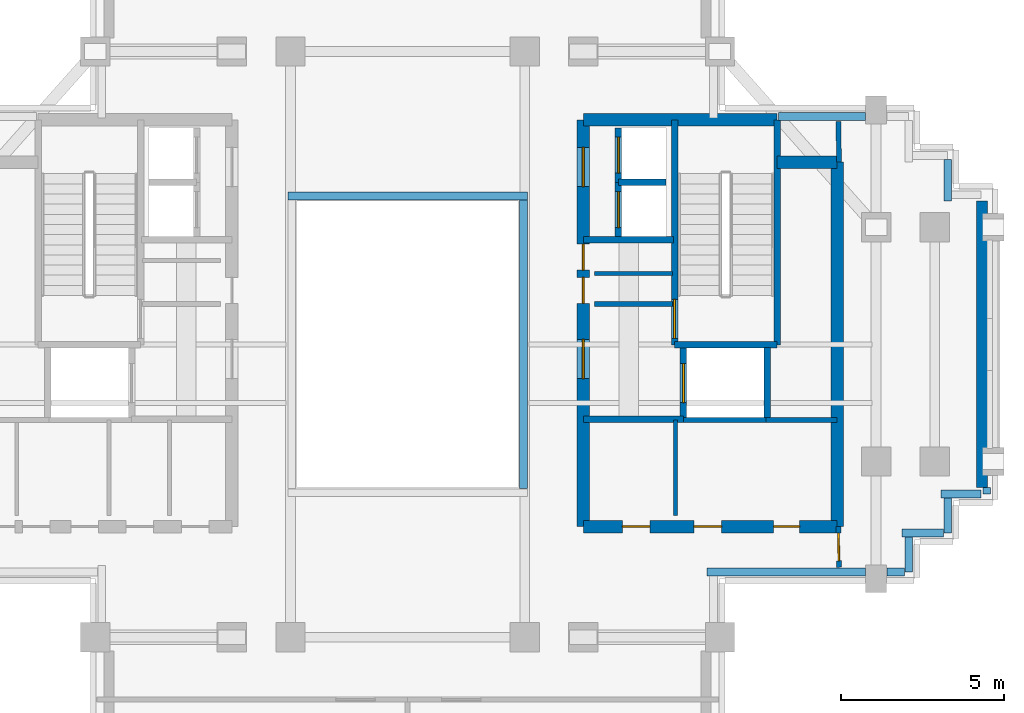
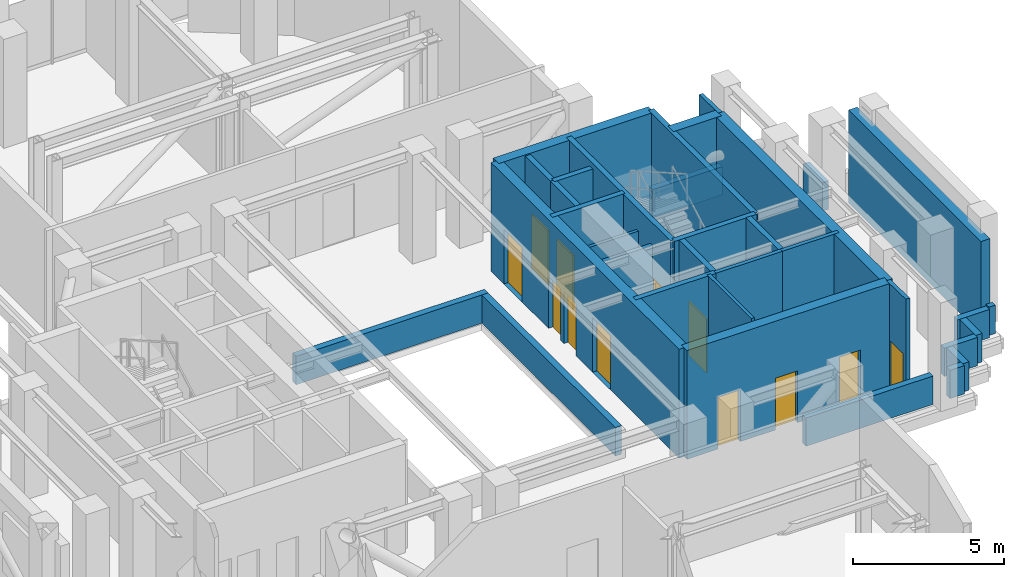
# One storey, part 7 of 11: 34 walls, 12 doors, 12 openings.
"""IFC4 building model written with IfcOpenShell, lengths in metres."""

from ifc_helpers import new_model, si_unit, direction, frame, frame_2d, origin, place, context, subcontext, project, spatial, rectangle, extrude, source, transform, mapped, material, layer, layer_set, type_object, element, fill, save


model = new_model("IFC4")

# Units and contexts
model_context = context("Model", 3, precision=1e-05, world=origin(), true_north=direction((0.0, 1.0)))
body_context = subcontext(model_context, "Body", "Model", "MODEL_VIEW")
ifc_project = project(units=[si_unit("LENGTHUNIT", "METRE"), si_unit("AREAUNIT", "SQUARE_METRE"), si_unit("VOLUMEUNIT", "CUBIC_METRE"), si_unit("PLANEANGLEUNIT", "RADIAN"), si_unit("MASSUNIT", "GRAM", prefix="KILO")], contexts=[model_context])

# Site, building, storey
site_placement = place(None, origin())
site = spatial("IfcSite", under=ifc_project, at=site_placement, CompositionType="ELEMENT")
building_placement = place(site_placement, origin())
building = spatial("IfcBuilding", under=site, at=building_placement, Name="Keilestroom Media Tower", CompositionType="ELEMENT")
storey_placement = place(building_placement, frame((0.0, 0.0, 214.800048828125)))
storey = spatial("IfcBuildingStorey", under=building, at=storey_placement, Name="L59", CompositionType="ELEMENT", Elevation=214.800048828125)

# Walls
ifc_material_1 = material(Name="Precast concrete C40/50", Category="concrete")
ifc_layer_1 = layer(ifc_material_1, 0.340087890625)
ifc_layer_set_1 = layer_set([ifc_layer_1], Name="Precast concrete C40/50")
wall_type_1 = type_object("IfcWallType", Name="Exterior-Masonry-Spandrel-Wall-340", PredefinedType="SOLIDWALL", material=ifc_layer_set_1)
wall_1_placement = place(storey_placement, frame((17.64990234375, -4.39990234375, 0.0), z_axis=(0.0, 0.0, 1.0), x_axis=(0.0, 1.0, 0.0)))
element("IfcWall", 1, at=wall_1_placement, inside=storey, type_object=wall_type_1, Name="L59 Plant Masonry Screen Wall E", PredefinedType="SOLIDWALL", context=body_context, shape_type="SweptSolid", body=[
    extrude(rectangle(XDim=8.7998046875, YDim=0.340087890625, at=frame_2d((4.39990234375, 0.0))), origin(), (0.0, 0.0, 1.0), 3.760009765625),
])
ifc_material_2 = material(Name="Gypsum Plasterboard & Steel Stud", Category="steel")
ifc_layer_2 = layer(ifc_material_2, 0.1201171875)
ifc_layer_set_2 = layer_set([ifc_layer_2], Name="Gypsum Plasterboard & Steel Stud")
wall_type_2 = type_object("IfcWallType", Name="Interior-Partition-Wall-120", PredefinedType="PARTITIONING", material=ifc_layer_set_2)
wall_2_placement = place(storey_placement, frame((5.75, 2.179931640625, 0.0), z_axis=(0.0, 0.0, 1.0), x_axis=(1.0, 0.0, 0.0)))
element("IfcWall", 2, at=wall_2_placement, inside=storey, type_object=wall_type_2, Name="L59 Interior Wall WP-L59-CNE-N", PredefinedType="PARTITIONING", context=body_context, shape_type="SweptSolid", body=[
    extrude(rectangle(XDim=2.389892578125, YDim=0.1201171875, at=frame_2d((1.19482421875, 0.0))), origin(), (0.0, 0.0, 1.0), 3.510009765625),
])
wall_3_placement = place(storey_placement, frame((8.239990234375, -5.260009765625, 0.0), z_axis=(0.0, 0.0, 1.0), x_axis=(0.0, 1.0, 0.0)))
element("IfcWall", 3, at=wall_3_placement, inside=storey, type_object=wall_type_2, Name="L59 Interior Wall WP-L59-RECME-M", PredefinedType="PARTITIONING", context=body_context, shape_type="SweptSolid", body=[
    extrude(rectangle(XDim=2.93994140625, YDim=0.1201171875, at=frame_2d((1.469970703125, 0.0))), origin(), (0.0, 0.0, 1.0), 4.409912109375),
])
ifc_layer_3 = layer(ifc_material_2, 0.14990234375)
ifc_layer_set_3 = layer_set([ifc_layer_3], Name="Gypsum Plasterboard & Steel Stud")
wall_type_3 = type_object("IfcWallType", Name="Interior-Partition-Wall-150", PredefinedType="PARTITIONING", material=ifc_layer_set_3)
wall_4_placement = place(storey_placement, frame((5.75, 1.239990234375, 0.0), z_axis=(0.0, 0.0, 1.0), x_axis=(1.0, 0.0, 0.0)))
element("IfcWall", 4, at=wall_4_placement, inside=storey, type_object=wall_type_3, Name="L59 Interior Wall WP-L59-FFE-TOP", PredefinedType="PARTITIONING", context=body_context, shape_type="SweptSolid", body=[
    extrude(rectangle(XDim=2.389892578125, YDim=0.14990234375, at=frame_2d((1.19482421875, 0.0))), origin(), (0.0, 0.0, 1.0), 3.510009765625),
])
wall_5_placement = place(storey_placement, frame((11.02001953125, -2.320068359375, 0.0), z_axis=(0.0, 0.0, 1.0), x_axis=(1.0, 0.0, 0.0)))
element("IfcWall", 5, at=wall_5_placement, inside=storey, type_object=wall_type_3, Name="L59 Interior Wall WP-L59-RECLE-N", PredefinedType="PARTITIONING", context=body_context, shape_type="SweptSolid", body=[
    extrude(rectangle(XDim=2.179931640625, YDim=0.14990234375, at=frame_2d((1.08984375, 0.0))), origin(), (0.0, 0.0, 1.0), 4.409912109375),
])
wall_6_placement = place(storey_placement, frame((8.47998046875, -2.320068359375, 0.0), z_axis=(0.0, 0.0, 1.0), x_axis=(1.0, 0.0, 0.0)))
element("IfcWall", 6, at=wall_6_placement, inside=storey, type_object=wall_type_3, Name="L59 Interior Wall WP-L59-RECME-N", PredefinedType="PARTITIONING", context=body_context, shape_type="SweptSolid", body=[
    extrude(rectangle(XDim=2.56005859375, YDim=0.14990234375, at=frame_2d((1.280029296875, 0.0))), origin(), (0.0, 0.0, 1.0), 4.409912109375),
])

# Wall, opening, door
wall_7_placement = place(storey_placement, frame((13.260009765625, -6.85009765625, 0.0), z_axis=(0.0, 0.0, 1.0), x_axis=(-0.016013571389, 0.999871774545, 0.0)))
wall_7 = element("IfcWall", 7, at=wall_7_placement, inside=storey, type_object=wall_type_3, Name="L59 Interior Wall WP-L59-REF-EW", PredefinedType="PARTITIONING", context=body_context, shape_type="SweptSolid", body=[
    extrude(rectangle(XDim=1.250244140625, YDim=0.14990234375, at=frame_2d((0.625, 0.0))), origin(), (0.0, 0.0, 1.0), 4.409912109375),
])
opening_1_placement = place(wall_7_placement, frame((0.199951171875, 0.0, 0.0)))
opening_1 = element("IfcOpeningElement", 8, at=opening_1_placement, cuts=wall_7, Name="Opening DI-05", PredefinedType="OPENING", context=body_context, shape_type="SweptSolid", body=[
    extrude(rectangle(XDim=0.85009765625, YDim=2.10009765625, at=frame_2d((0.425048828125, 1.050048828125))), frame((0.0, 0.0849609375, 0.0), z_axis=(0.0, -1.0, 0.0), x_axis=(1.0, 0.0, 0.0)), (0.0, 0.0, 1.0), 0.169921875),
])
ifc_material_3 = material(Name="Moisture-Resistant Oak Leaf", Category="wood")
door_type_1 = type_object("IfcDoorType", Name="Interior-En-Suite-And-Cupboard-Door-DI-05", OperationType="NOTDEFINED", PredefinedType="DOOR", material=ifc_material_3)
shared_shape_1 = source(origin(), body_context, "Body", "SweptSolid", [
    extrude(rectangle(XDim=0.85009765625, YDim=2.10009765625, at=frame_2d((0.425048828125, 1.050048828125))), frame((0.0, 0.02490234375, 0.0), z_axis=(0.0, -1.0, 0.0), x_axis=(1.0, 0.0, 0.0)), (0.0, 0.0, 1.0), 0.050048828125),
])
door_1_placement = place(opening_1_placement, origin())
door_1 = element("IfcDoor", 9, at=door_1_placement, inside=storey, type_object=door_type_1, Name="L59 Interior Door DI-L59-DRF-ES", OperationType="SINGLE_SWING_LEFT", OverallHeight=2.10009765625, OverallWidth=0.85009765625, PredefinedType="DOOR", context=body_context, shape_type="MappedRepresentation", body=[
    mapped(shared_shape_1, transform((0.0, 0.0, 0.0), x_axis=(1.0, 0.0, 0.0), y_axis=(0.0, 1.0, 0.0), z_axis=(0.0, 0.0, 1.0), scale=1.0)),
])
fill(opening_1, door_1)

# Walls
wall_8_placement = place(storey_placement, frame((13.260009765625, 5.60009765625, 0.0), z_axis=(0.0, 0.0, 1.0), x_axis=(-0.016013571389, 0.999871774545, 0.0)))
element("IfcWall", 10, at=wall_8_placement, inside=storey, type_object=wall_type_3, Name="L59 Interior Wall WP-L59-REF-ENK", PredefinedType="PARTITIONING", context=body_context, shape_type="SweptSolid", body=[
    extrude(rectangle(XDim=1.250244140625, YDim=0.14990234375, at=frame_2d((0.625, 0.0))), origin(), (0.0, 0.0, 1.0), 4.409912109375),
])
ifc_material_4 = material(Name="Concrete C55/67", Category="concrete")
ifc_layer_4 = layer(ifc_material_4, 0.3798828125)
ifc_layer_set_4 = layer_set([ifc_layer_4], Name="Concrete C55/67")
wall_type_4 = type_object("IfcWallType", Name="Reinforced-Concrete-Core-Shear-Wall-380", PredefinedType="SHEAR", material=ifc_layer_set_4)
wall_9_placement = place(storey_placement, frame((13.199951171875, -5.60009765625, 0.0), z_axis=(0.0, 0.0, 1.0), x_axis=(0.0, 1.0, 0.0)))
element("IfcWall", 11, at=wall_9_placement, inside=storey, type_object=wall_type_4, Name="L59 Core Shear Wall WL-L59-CORE-E-OUT", PredefinedType="SHEAR", context=body_context, shape_type="SweptSolid", body=[
    extrude(rectangle(XDim=11.2001953125, YDim=0.3798828125, at=frame_2d((5.60009765625, 0.0))), origin(), (0.0, 0.0, 1.0), 4.409912109375),
])

# Wall, openings, doors
wall_10_placement = place(storey_placement, frame((5.39990234375, -5.60009765625, 0.0), z_axis=(0.0, 0.0, 1.0), x_axis=(0.0, 1.0, 0.0)))
wall_10 = element("IfcWall", 12, at=wall_10_placement, inside=storey, type_object=wall_type_4, Name="L59 Core Shear Wall WL-L59-CORE-E-IN", PredefinedType="SHEAR", context=body_context, shape_type="SweptSolid", body=[
    extrude(rectangle(XDim=12.5, YDim=0.3798828125, at=frame_2d((6.25, 0.0))), origin(), (0.0, 0.0, 1.0), 4.409912109375),
])
opening_2_placement = place(wall_10_placement, frame((4.550048828125, 0.0, 0.0)))
opening_2 = element("IfcOpeningElement", 13, at=opening_2_placement, cuts=wall_10, Name="Opening DI-02", PredefinedType="OPENING", context=body_context, shape_type="SweptSolid", body=[
    extrude(rectangle(XDim=1.199951171875, YDim=2.199951171875, at=frame_2d((0.60009765625, 1.10009765625))), frame((0.0, 0.199951171875, 0.0), z_axis=(0.0, -1.0, 0.0), x_axis=(1.0, 0.0, 0.0)), (0.0, 0.0, 1.0), 0.39990234375),
])
opening_3_placement = place(wall_10_placement, frame((10.449951171875, 0.0, 0.0)))
opening_3 = element("IfcOpeningElement", 14, at=opening_3_placement, cuts=wall_10, Name="Opening DI-02", PredefinedType="OPENING", context=body_context, shape_type="SweptSolid", body=[
    extrude(rectangle(XDim=1.199951171875, YDim=2.199951171875, at=frame_2d((0.60009765625, 1.10009765625))), frame((0.0, 0.199951171875, 0.0), z_axis=(0.0, -1.0, 0.0), x_axis=(1.0, 0.0, 0.0)), (0.0, 0.0, 1.0), 0.39990234375),
])
opening_4_placement = place(wall_10_placement, frame((6.860107421875, 0.0, 0.0)))
opening_4 = element("IfcOpeningElement", 15, at=opening_4_placement, cuts=wall_10, Name="Opening DI-06", PredefinedType="OPENING", context=body_context, shape_type="SweptSolid", body=[
    extrude(rectangle(XDim=0.800048828125, YDim=2.10009765625, at=frame_2d((0.39990234375, 1.050048828125))), frame((0.0, 0.199951171875, 0.0), z_axis=(0.0, -1.0, 0.0), x_axis=(1.0, 0.0, 0.0)), (0.0, 0.0, 1.0), 0.39990234375),
])
opening_5_placement = place(wall_10_placement, frame((7.8798828125, 0.0, 0.0)))
opening_5 = element("IfcOpeningElement", 16, at=opening_5_placement, cuts=wall_10, Name="Opening DI-06", PredefinedType="OPENING", context=body_context, shape_type="SweptSolid", body=[
    extrude(rectangle(XDim=0.800048828125, YDim=2.10009765625, at=frame_2d((0.39990234375, 1.050048828125))), frame((0.0, 0.199951171875, 0.0), z_axis=(0.0, -1.0, 0.0), x_axis=(1.0, 0.0, 0.0)), (0.0, 0.0, 1.0), 0.39990234375),
])
ifc_material_5 = material(Name="Powder-Coated Steel Fire Leaf", Category="steel")
door_type_2 = type_object("IfcDoorType", Name="Interior-Compartment-Fire-Door-DI-02", OperationType="NOTDEFINED", PredefinedType="DOOR", material=ifc_material_5)
shared_shape_2 = source(origin(), body_context, "Body", "SweptSolid", [
    extrude(rectangle(XDim=1.199951171875, YDim=2.199951171875, at=frame_2d((0.60009765625, 1.10009765625))), frame((0.0, 0.02490234375, 0.0), z_axis=(0.0, -1.0, 0.0), x_axis=(1.0, 0.0, 0.0)), (0.0, 0.0, 1.0), 0.050048828125),
])
door_2_placement = place(opening_2_placement, origin())
door_2 = element("IfcDoor", 17, at=door_2_placement, inside=storey, type_object=door_type_2, Name="L59 E Firefighting Lobby Door", OperationType="SINGLE_SWING_LEFT", OverallHeight=2.199951171875, OverallWidth=1.199951171875, PredefinedType="DOOR", context=body_context, shape_type="MappedRepresentation", body=[
    mapped(shared_shape_2, transform((0.0, 0.0, 0.0), x_axis=(1.0, 0.0, 0.0), y_axis=(0.0, 1.0, 0.0), z_axis=(0.0, 0.0, 1.0), scale=1.0)),
])
fill(opening_2, door_2)
door_3_placement = place(opening_3_placement, origin())
door_3 = element("IfcDoor", 18, at=door_3_placement, inside=storey, type_object=door_type_2, Name="L59 E High-Rise Lift Lobby Door", OperationType="SINGLE_SWING_RIGHT", OverallHeight=2.199951171875, OverallWidth=1.199951171875, PredefinedType="DOOR", context=body_context, shape_type="MappedRepresentation", body=[
    mapped(shared_shape_2, transform((0.0, 0.0, 0.0), x_axis=(1.0, 0.0, 0.0), y_axis=(0.0, 1.0, 0.0), z_axis=(0.0, 0.0, 1.0), scale=1.0)),
])
fill(opening_3, door_3)
ifc_material_6 = material(Name="Powder-Coated Steel Service Leaf", Category="steel")
door_type_3 = type_object("IfcDoorType", Name="Interior-Riser-Access-Door-DI-06", OperationType="NOTDEFINED", PredefinedType="DOOR", material=ifc_material_6)
shared_shape_3 = source(origin(), body_context, "Body", "SweptSolid", [
    extrude(rectangle(XDim=0.800048828125, YDim=2.10009765625, at=frame_2d((0.39990234375, 1.050048828125))), frame((0.0, 0.02490234375, 0.0), z_axis=(0.0, -1.0, 0.0), x_axis=(1.0, 0.0, 0.0)), (0.0, 0.0, 1.0), 0.050048828125),
])
door_4_placement = place(opening_4_placement, origin())
door_4 = element("IfcDoor", 19, at=door_4_placement, inside=storey, type_object=door_type_3, Name="L59 East Core Telecom Door", OperationType="SINGLE_SWING_RIGHT", OverallHeight=2.10009765625, OverallWidth=0.800048828125, PredefinedType="DOOR", context=body_context, shape_type="MappedRepresentation", body=[
    mapped(shared_shape_3, transform((0.0, 0.0, 0.0), x_axis=(1.0, 0.0, 0.0), y_axis=(0.0, 1.0, 0.0), z_axis=(0.0, 0.0, 1.0), scale=1.0)),
])
fill(opening_4, door_4)
door_5_placement = place(opening_5_placement, origin())
door_5 = element("IfcDoor", 20, at=door_5_placement, inside=storey, type_object=door_type_3, Name="L59 East Core Closet Door", OperationType="SINGLE_SWING_RIGHT", OverallHeight=2.10009765625, OverallWidth=0.800048828125, PredefinedType="DOOR", context=body_context, shape_type="MappedRepresentation", body=[
    mapped(shared_shape_3, transform((0.0, 0.0, 0.0), x_axis=(1.0, 0.0, 0.0), y_axis=(0.0, 1.0, 0.0), z_axis=(0.0, 0.0, 1.0), scale=1.0)),
])
fill(opening_5, door_5)

# Walls
wall_11_placement = place(storey_placement, frame((5.39990234375, 6.89990234375, 0.0), z_axis=(0.0, 0.0, 1.0), x_axis=(1.0, 0.0, 0.0)))
element("IfcWall", 21, at=wall_11_placement, inside=storey, type_object=wall_type_4, Name="L59 Core Shear Wall WL-L59-CORE-E-N", PredefinedType="SHEAR", context=body_context, shape_type="SweptSolid", body=[
    extrude(rectangle(XDim=5.9560546875, YDim=0.3798828125, at=frame_2d((2.97802734375, 0.0))), origin(), (0.0, 0.0, 1.0), 4.409912109375),
])
wall_12_placement = place(storey_placement, frame((11.35595703125, 5.60009765625, 0.0), z_axis=(0.0, 0.0, 1.0), x_axis=(1.0, 0.0, 0.0)))
element("IfcWall", 22, at=wall_12_placement, inside=storey, type_object=wall_type_4, Name="L59 Core Shear Wall WL-L59-CNE-N", PredefinedType="SHEAR", context=body_context, shape_type="SweptSolid", body=[
    extrude(rectangle(XDim=1.843994140625, YDim=0.3798828125, at=frame_2d((0.921875, 0.0))), origin(), (0.0, 0.0, 1.0), 4.409912109375),
])

# Wall, openings, doors
wall_13_placement = place(storey_placement, frame((5.39990234375, -5.60009765625, 0.0), z_axis=(0.0, 0.0, 1.0), x_axis=(1.0, 0.0, 0.0)))
wall_13 = element("IfcWall", 23, at=wall_13_placement, inside=storey, type_object=wall_type_4, Name="L59 Core Shear Wall WL-L59-CORE-E-S", PredefinedType="SHEAR", context=body_context, shape_type="SweptSolid", body=[
    extrude(rectangle(XDim=7.800048828125, YDim=0.3798828125, at=frame_2d((3.89990234375, 0.0))), origin(), (0.0, 0.0, 1.0), 4.409912109375),
])
opening_6_placement = place(wall_13_placement, frame((5.85009765625, 0.0, 0.0)))
opening_6 = element("IfcOpeningElement", 24, at=opening_6_placement, cuts=wall_13, Name="Opening DI-06", PredefinedType="OPENING", context=body_context, shape_type="SweptSolid", body=[
    extrude(rectangle(XDim=0.800048828125, YDim=2.10009765625, at=frame_2d((0.39990234375, 1.050048828125))), frame((0.0, 0.199951171875, 0.0), z_axis=(0.0, -1.0, 0.0), x_axis=(1.0, 0.0, 0.0)), (0.0, 0.0, 1.0), 0.39990234375),
])
opening_7_placement = place(wall_13_placement, frame((1.199951171875, 0.0, 0.0)))
opening_7 = element("IfcOpeningElement", 25, at=opening_7_placement, cuts=wall_13, Name="Opening DI-05", PredefinedType="OPENING", context=body_context, shape_type="SweptSolid", body=[
    extrude(rectangle(XDim=0.85009765625, YDim=2.10009765625, at=frame_2d((0.425048828125, 1.050048828125))), frame((0.0, 0.199951171875, 0.0), z_axis=(0.0, -1.0, 0.0), x_axis=(1.0, 0.0, 0.0)), (0.0, 0.0, 1.0), 0.39990234375),
])
opening_8_placement = place(wall_13_placement, frame((3.39990234375, 0.0, 0.0)))
opening_8 = element("IfcOpeningElement", 26, at=opening_8_placement, cuts=wall_13, Name="Opening DI-05", PredefinedType="OPENING", context=body_context, shape_type="SweptSolid", body=[
    extrude(rectangle(XDim=0.85009765625, YDim=2.10009765625, at=frame_2d((0.425048828125, 1.050048828125))), frame((0.0, 0.199951171875, 0.0), z_axis=(0.0, -1.0, 0.0), x_axis=(1.0, 0.0, 0.0)), (0.0, 0.0, 1.0), 0.39990234375),
])
door_6_placement = place(opening_6_placement, origin())
door_6 = element("IfcDoor", 27, at=door_6_placement, inside=storey, type_object=door_type_3, Name="L59 Reclaimed East Core Room Door", OperationType="SINGLE_SWING_RIGHT", OverallHeight=2.10009765625, OverallWidth=0.800048828125, PredefinedType="DOOR", context=body_context, shape_type="MappedRepresentation", body=[
    mapped(shared_shape_3, transform((0.0, 0.0, 0.0), x_axis=(1.0, 0.0, 0.0), y_axis=(0.0, 1.0, 0.0), z_axis=(0.0, 0.0, 1.0), scale=1.0)),
])
fill(opening_6, door_6)
door_7_placement = place(opening_7_placement, origin())
door_7 = element("IfcDoor", 28, at=door_7_placement, inside=storey, type_object=door_type_1, Name="L59 Reclaimed Mid East Room 1 Door", OperationType="SINGLE_SWING_RIGHT", OverallHeight=2.10009765625, OverallWidth=0.85009765625, PredefinedType="DOOR", context=body_context, shape_type="MappedRepresentation", body=[
    mapped(shared_shape_1, transform((0.0, 0.0, 0.0), x_axis=(1.0, 0.0, 0.0), y_axis=(0.0, 1.0, 0.0), z_axis=(0.0, 0.0, 1.0), scale=1.0)),
])
fill(opening_7, door_7)
door_8_placement = place(opening_8_placement, origin())
door_8 = element("IfcDoor", 29, at=door_8_placement, inside=storey, type_object=door_type_1, Name="L59 Reclaimed Mid East Room 2 Door", OperationType="SINGLE_SWING_RIGHT", OverallHeight=2.10009765625, OverallWidth=0.85009765625, PredefinedType="DOOR", context=body_context, shape_type="MappedRepresentation", body=[
    mapped(shared_shape_1, transform((0.0, 0.0, 0.0), x_axis=(1.0, 0.0, 0.0), y_axis=(0.0, 1.0, 0.0), z_axis=(0.0, 0.0, 1.0), scale=1.0)),
])
fill(opening_8, door_8)

# Walls
ifc_material_7 = material(Name="Concrete C50/60", Category="concrete")
ifc_layer_5 = layer(ifc_material_7, 0.199951171875)
ifc_layer_set_5 = layer_set([ifc_layer_5], Name="Concrete C50/60")
wall_type_5 = type_object("IfcWallType", Name="Reinforced-Concrete-Shaft-Wall-200", PredefinedType="SOLIDWALL", material=ifc_layer_set_5)
wall_14_placement = place(storey_placement, frame((5.39990234375, 3.219970703125, 0.0), z_axis=(0.0, 0.0, 1.0), x_axis=(1.0, 0.0, 0.0)))
element("IfcWall", 30, at=wall_14_placement, inside=storey, type_object=wall_type_5, Name="L59 Core Shear Wall WL-L59-CORE-E-FFN", PredefinedType="SOLIDWALL", context=body_context, shape_type="SweptSolid", body=[
    extrude(rectangle(XDim=2.780029296875, YDim=0.199951171875, at=frame_2d((1.39013671875, 0.0))), origin(), (0.0, 0.0, 1.0), 4.409912109375),
])
wall_15_placement = place(storey_placement, frame((5.39990234375, -2.300048828125, 0.0), z_axis=(0.0, 0.0, 1.0), x_axis=(1.0, 0.0, 0.0)))
element("IfcWall", 31, at=wall_15_placement, inside=storey, type_object=wall_type_5, Name="L59 Core Shear Wall WL-L59-CORE-E-FFS", PredefinedType="SOLIDWALL", context=body_context, shape_type="SweptSolid", body=[
    extrude(rectangle(XDim=3.080078125, YDim=0.199951171875, at=frame_2d((1.5400390625, 0.0))), origin(), (0.0, 0.0, 1.0), 4.409912109375),
])

# Wall, opening, door
wall_16_placement = place(storey_placement, frame((8.2041015625, -0.01611328125, 0.0), z_axis=(0.0, 0.0, 1.0), x_axis=(0.0, 1.0, 0.0)))
wall_16 = element("IfcWall", 32, at=wall_16_placement, inside=storey, type_object=wall_type_5, Name="L59 Core Shear Wall WL-L59-STW-E-NEAR", PredefinedType="SOLIDWALL", context=body_context, shape_type="SweptSolid", body=[
    extrude(rectangle(XDim=6.916015625, YDim=0.199951171875, at=frame_2d((3.4580078125, 0.0))), origin(), (0.0, 0.0, 1.0), 4.409912109375),
])
opening_9_placement = place(wall_16_placement, frame((0.199951171875, 0.0, 0.0)))
opening_9 = element("IfcOpeningElement", 33, at=opening_9_placement, cuts=wall_16, Name="Opening DI-01S", PredefinedType="OPENING", context=body_context, shape_type="SweptSolid", body=[
    extrude(rectangle(XDim=1.199951171875, YDim=2.199951171875, at=frame_2d((0.60009765625, 1.10009765625))), frame((0.0, 0.10986328125, 0.0), z_axis=(0.0, -1.0, 0.0), x_axis=(1.0, 0.0, 0.0)), (0.0, 0.0, 1.0), 0.219970703125),
])
door_type_4 = type_object("IfcDoorType", Name="Interior-Stair-And-Core-Fire-Door-DI-01", OperationType="NOTDEFINED", PredefinedType="DOOR", material=ifc_material_5)
door_9_placement = place(opening_9_placement, origin())
door_9 = element("IfcDoor", 34, at=door_9_placement, inside=storey, type_object=door_type_4, Name="L59 Escape Stair ST-2 Fire Door", OperationType="SINGLE_SWING_RIGHT", OverallHeight=2.199951171875, OverallWidth=1.199951171875, PredefinedType="DOOR", context=body_context, shape_type="MappedRepresentation", body=[
    mapped(shared_shape_2, transform((0.0, 0.0, 0.0), x_axis=(1.0, 0.0, 0.0), y_axis=(0.0, 1.0, 0.0), z_axis=(0.0, 0.0, 1.0), scale=1.0)),
])
fill(opening_9, door_9)

# Walls
wall_17_placement = place(storey_placement, frame((11.35595703125, -0.01611328125, 0.0), z_axis=(0.0, 0.0, 1.0), x_axis=(0.0, 1.0, 0.0)))
element("IfcWall", 35, at=wall_17_placement, inside=storey, type_object=wall_type_5, Name="L59 Core Shear Wall WL-L59-STW-E-FAR", PredefinedType="SOLIDWALL", context=body_context, shape_type="SweptSolid", body=[
    extrude(rectangle(XDim=6.916015625, YDim=0.199951171875, at=frame_2d((3.4580078125, 0.0))), origin(), (0.0, 0.0, 1.0), 4.409912109375),
])
wall_18_placement = place(storey_placement, frame((8.2041015625, -0.01611328125, 0.0), z_axis=(0.0, 0.0, 1.0), x_axis=(1.0, 0.0, 0.0)))
element("IfcWall", 36, at=wall_18_placement, inside=storey, type_object=wall_type_5, Name="L59 Core Shear Wall WL-L59-STW-E-S", PredefinedType="SOLIDWALL", context=body_context, shape_type="SweptSolid", body=[
    extrude(rectangle(XDim=3.15185546875, YDim=0.199951171875, at=frame_2d((1.575927734375, 0.0))), origin(), (0.0, 0.0, 1.0), 4.409912109375),
])

# Wall, opening, door
wall_19_placement = place(storey_placement, frame((8.47998046875, -2.280029296875, 0.0), z_axis=(0.0, 0.0, 1.0), x_axis=(0.0, 1.0, 0.0)))
wall_19 = element("IfcWall", 37, at=wall_19_placement, inside=storey, type_object=wall_type_5, Name="L59 Core Shear Wall WL-L59-LSH-FFL-2-W", PredefinedType="SOLIDWALL", context=body_context, shape_type="SweptSolid", body=[
    extrude(rectangle(XDim=2.179931640625, YDim=0.199951171875, at=frame_2d((1.08984375, 0.0))), origin(), (0.0, 0.0, 1.0), 4.409912109375),
])
opening_10_placement = place(wall_19_placement, frame((0.489990234375, 0.0, 0.0)))
opening_10 = element("IfcOpeningElement", 38, at=opening_10_placement, cuts=wall_19, Name="Opening LD-02", PredefinedType="OPENING", context=body_context, shape_type="SweptSolid", body=[
    extrude(rectangle(XDim=1.199951171875, YDim=2.199951171875, at=frame_2d((0.60009765625, 1.10009765625))), frame((0.0, 0.10986328125, 0.0), z_axis=(0.0, -1.0, 0.0), x_axis=(1.0, 0.0, 0.0)), (0.0, 0.0, 1.0), 0.219970703125),
])
ifc_material_8 = material(Name="Brushed Stainless Steel Sliding Leaf", Category="steel")
door_type_5 = type_object("IfcDoorType", Name="Lift-Landing-Sliding-Door-LD-02", OperationType="SLIDING_TO_RIGHT", PredefinedType="DOOR", material=ifc_material_8)
door_10_placement = place(opening_10_placement, origin())
door_10 = element("IfcDoor", 39, at=door_10_placement, inside=storey, type_object=door_type_5, Name="L59 Lift FFL-2 Landing Sliding Door", OperationType="SLIDING_TO_RIGHT", OverallHeight=2.199951171875, OverallWidth=1.199951171875, PredefinedType="DOOR", context=body_context, shape_type="MappedRepresentation", body=[
    mapped(shared_shape_2, transform((0.0, 0.0, 0.0), x_axis=(1.0, 0.0, 0.0), y_axis=(0.0, 1.0, 0.0), z_axis=(0.0, 0.0, 1.0), scale=1.0)),
])
fill(opening_10, door_10)

# Wall
wall_20_placement = place(storey_placement, frame((11.050048828125, -2.280029296875, 0.0), z_axis=(0.0, 0.0, 1.0), x_axis=(0.0, 1.0, 0.0)))
element("IfcWall", 40, at=wall_20_placement, inside=storey, type_object=wall_type_5, Name="L59 Core Shear Wall WL-L59-LSH-FFL-2-E", PredefinedType="SOLIDWALL", context=body_context, shape_type="SweptSolid", body=[
    extrude(rectangle(XDim=2.179931640625, YDim=0.199951171875, at=frame_2d((1.08984375, 0.0))), origin(), (0.0, 0.0, 1.0), 4.409912109375),
])

# Wall, opening, door
wall_21_placement = place(storey_placement, frame((6.47998046875, 3.300048828125, 0.0), z_axis=(0.0, 0.0, 1.0), x_axis=(0.0, 1.0, 0.0)))
wall_21 = element("IfcWall", 41, at=wall_21_placement, inside=storey, type_object=wall_type_5, Name="L59 Core Shear Wall WL-L59-LSH-PL-H3-W", PredefinedType="SOLIDWALL", context=body_context, shape_type="SweptSolid", body=[
    extrude(rectangle(XDim=1.679931640625, YDim=0.199951171875, at=frame_2d((0.83984375, 0.0))), origin(), (0.0, 0.0, 1.0), 4.409912109375),
])
opening_11_placement = place(wall_21_placement, frame((0.2900390625, 0.0, 0.0)))
opening_11 = element("IfcOpeningElement", 42, at=opening_11_placement, cuts=wall_21, Name="Opening LD-01", PredefinedType="OPENING", context=body_context, shape_type="SweptSolid", body=[
    extrude(rectangle(XDim=1.10009765625, YDim=2.199951171875, at=frame_2d((0.550048828125, 1.10009765625))), frame((0.0, 0.10986328125, 0.0), z_axis=(0.0, -1.0, 0.0), x_axis=(1.0, 0.0, 0.0)), (0.0, 0.0, 1.0), 0.219970703125),
])
door_type_6 = type_object("IfcDoorType", Name="Lift-Landing-Sliding-Door-LD-01", OperationType="SLIDING_TO_LEFT", PredefinedType="DOOR", material=ifc_material_8)
shared_shape_4 = source(origin(), body_context, "Body", "SweptSolid", [
    extrude(rectangle(XDim=1.10009765625, YDim=2.199951171875, at=frame_2d((0.550048828125, 1.10009765625))), frame((0.0, 0.02490234375, 0.0), z_axis=(0.0, -1.0, 0.0), x_axis=(1.0, 0.0, 0.0)), (0.0, 0.0, 1.0), 0.050048828125),
])
door_11_placement = place(opening_11_placement, origin())
door_11 = element("IfcDoor", 43, at=door_11_placement, inside=storey, type_object=door_type_6, Name="L59 Lift PL-H3 Landing Sliding Door", OperationType="SLIDING_TO_LEFT", OverallHeight=2.199951171875, OverallWidth=1.10009765625, PredefinedType="DOOR", context=body_context, shape_type="MappedRepresentation", body=[
    mapped(shared_shape_4, transform((0.0, 0.0, 0.0), x_axis=(1.0, 0.0, 0.0), y_axis=(0.0, 1.0, 0.0), z_axis=(0.0, 0.0, 1.0), scale=1.0)),
])
fill(opening_11, door_11)

# Wall
wall_22_placement = place(storey_placement, frame((6.47998046875, 4.97998046875, 0.0), z_axis=(0.0, 0.0, 1.0), x_axis=(1.0, 0.0, 0.0)))
element("IfcWall", 44, at=wall_22_placement, inside=storey, type_object=wall_type_5, Name="L59 Core Shear Wall WL-L59-LSH-PL-H3-N", PredefinedType="SOLIDWALL", context=body_context, shape_type="SweptSolid", body=[
    extrude(rectangle(XDim=1.469970703125, YDim=0.199951171875, at=frame_2d((0.73486328125, 0.0))), origin(), (0.0, 0.0, 1.0), 4.409912109375),
])

# Wall, opening, door
wall_23_placement = place(storey_placement, frame((6.47998046875, 4.97998046875, 0.0), z_axis=(0.0, 0.0, 1.0), x_axis=(0.0, 1.0, 0.0)))
wall_23 = element("IfcWall", 45, at=wall_23_placement, inside=storey, type_object=wall_type_5, Name="L59 Core Shear Wall WL-L59-LSH-PL-H4-W", PredefinedType="SOLIDWALL", context=body_context, shape_type="SweptSolid", body=[
    extrude(rectangle(XDim=1.669921875, YDim=0.199951171875, at=frame_2d((0.8349609375, 0.0))), origin(), (0.0, 0.0, 1.0), 4.409912109375),
])
opening_12_placement = place(wall_23_placement, frame((0.284912109375, 0.0, 0.0)))
opening_12 = element("IfcOpeningElement", 46, at=opening_12_placement, cuts=wall_23, Name="Opening LD-01", PredefinedType="OPENING", context=body_context, shape_type="SweptSolid", body=[
    extrude(rectangle(XDim=1.10009765625, YDim=2.199951171875, at=frame_2d((0.550048828125, 1.10009765625))), frame((0.0, 0.10986328125, 0.0), z_axis=(0.0, -1.0, 0.0), x_axis=(1.0, 0.0, 0.0)), (0.0, 0.0, 1.0), 0.219970703125),
])
door_12_placement = place(opening_12_placement, origin())
door_12 = element("IfcDoor", 47, at=door_12_placement, inside=storey, type_object=door_type_6, Name="L59 Lift PL-H4 Landing Sliding Door", OperationType="SLIDING_TO_LEFT", OverallHeight=2.199951171875, OverallWidth=1.10009765625, PredefinedType="DOOR", context=body_context, shape_type="MappedRepresentation", body=[
    mapped(shared_shape_4, transform((0.0, 0.0, 0.0), x_axis=(1.0, 0.0, 0.0), y_axis=(0.0, 1.0, 0.0), z_axis=(0.0, 0.0, 1.0), scale=1.0)),
])
fill(opening_12, door_12)

# Walls
ifc_layer_6 = layer(ifc_material_1, 0.239990234375)
ifc_layer_set_6 = layer_set([ifc_layer_6], Name="Precast concrete C40/50")
wall_type_6 = type_object("IfcWallType", Name="Roof-And-Terrace-Parapet-Wall-240", PredefinedType="PARAPET", material=ifc_layer_set_6)
wall_24_placement = place(storey_placement, frame((17.62890625, -4.60009765625, 0.0), z_axis=(0.0, 0.0, 1.0), x_axis=(-1.0, 0.0, 0.0)))
element("IfcWall", 48, at=wall_24_placement, inside=storey, type_object=wall_type_6, Name="L59 Perimeter Edge Parapet Wall 01", PredefinedType="PARAPET", context=body_context, shape_type="SweptSolid", body=[
    extrude(rectangle(XDim=1.22900390625, YDim=0.239990234375, at=frame_2d((0.614501953125, 0.0))), origin(), (0.0, 0.0, 1.0), 1.14990234375),
])
wall_25_placement = place(storey_placement, frame((16.60009765625, -4.722900390625, 0.0), z_axis=(0.0, 0.0, 1.0), x_axis=(0.0, -1.0, 0.0)))
element("IfcWall", 49, at=wall_25_placement, inside=storey, type_object=wall_type_6, Name="L59 Perimeter Edge Parapet Wall 02", PredefinedType="PARAPET", context=body_context, shape_type="SweptSolid", body=[
    extrude(rectangle(XDim=1.0771484375, YDim=0.239990234375, at=frame_2d((0.53857421875, 0.0))), origin(), (0.0, 0.0, 1.0), 1.14990234375),
])
wall_26_placement = place(storey_placement, frame((16.47705078125, -5.800048828125, 0.0), z_axis=(0.0, 0.0, 1.0), x_axis=(-1.0, 0.0, 0.0)))
element("IfcWall", 50, at=wall_26_placement, inside=storey, type_object=wall_type_6, Name="L59 Perimeter Edge Parapet Wall 03", PredefinedType="PARAPET", context=body_context, shape_type="SweptSolid", body=[
    extrude(rectangle(XDim=1.277099609375, YDim=0.239990234375, at=frame_2d((0.638671875, 0.0))), origin(), (0.0, 0.0, 1.0), 1.14990234375),
])
wall_27_placement = place(storey_placement, frame((15.39990234375, -5.923095703125, 0.0), z_axis=(0.0, 0.0, 1.0), x_axis=(0.0, -1.0, 0.0)))
element("IfcWall", 51, at=wall_27_placement, inside=storey, type_object=wall_type_6, Name="L59 Perimeter Edge Parapet Wall 04", PredefinedType="PARAPET", context=body_context, shape_type="SweptSolid", body=[
    extrude(rectangle(XDim=1.076904296875, YDim=0.239990234375, at=frame_2d((0.53857421875, 0.0))), origin(), (0.0, 0.0, 1.0), 1.14990234375),
])
wall_28_placement = place(storey_placement, frame((15.277099609375, -7.0, 0.0), z_axis=(0.0, 0.0, 1.0), x_axis=(-1.0, 0.0, 0.0)))
element("IfcWall", 52, at=wall_28_placement, inside=storey, type_object=wall_type_6, Name="L59 Perimeter Edge Parapet Wall 05", PredefinedType="PARAPET", context=body_context, shape_type="SweptSolid", body=[
    extrude(rectangle(XDim=0.549072265625, YDim=0.239990234375, at=frame_2d((0.2744140625, 0.0))), origin(), (0.0, 0.0, 1.0), 1.14990234375),
])
wall_29_placement = place(storey_placement, frame((14.072021484375, -7.0, 0.0), z_axis=(0.0, 0.0, 1.0), x_axis=(-1.0, 0.0, 0.0)))
element("IfcWall", 53, at=wall_29_placement, inside=storey, type_object=wall_type_6, Name="L59 Perimeter Edge Parapet Wall 06", PredefinedType="PARAPET", context=body_context, shape_type="SweptSolid", body=[
    extrude(rectangle(XDim=4.8720703125, YDim=0.239990234375, at=frame_2d((2.43603515625, 0.0))), origin(), (0.0, 0.0, 1.0), 1.14990234375),
])
wall_30_placement = place(storey_placement, frame((11.403076171875, 7.0, 0.0), z_axis=(0.0, 0.0, 1.0), x_axis=(1.0, 0.0, 0.0)))
element("IfcWall", 54, at=wall_30_placement, inside=storey, type_object=wall_type_6, Name="L59 Perimeter Edge Parapet Wall 24", PredefinedType="PARAPET", context=body_context, shape_type="SweptSolid", body=[
    extrude(rectangle(XDim=2.6689453125, YDim=0.239990234375, at=frame_2d((1.33447265625, 0.0))), origin(), (0.0, 0.0, 1.0), 1.14990234375),
])
wall_31_placement = place(storey_placement, frame((16.60009765625, 5.677001953125, 0.0), z_axis=(0.0, 0.0, 1.0), x_axis=(0.0, -1.0, 0.0)))
element("IfcWall", 55, at=wall_31_placement, inside=storey, type_object=wall_type_6, Name="L59 Perimeter Edge Parapet Wall 28", PredefinedType="PARAPET", context=body_context, shape_type="SweptSolid", body=[
    extrude(rectangle(XDim=1.277099609375, YDim=0.239990234375, at=frame_2d((0.638671875, 0.0))), origin(), (0.0, 0.0, 1.0), 1.14990234375),
])
wall_32_placement = place(storey_placement, frame((17.800048828125, -4.403076171875, 0.0), z_axis=(0.0, 0.0, 1.0), x_axis=(0.0, -1.0, 0.0)))
element("IfcWall", 56, at=wall_32_placement, inside=storey, type_object=wall_type_6, Name="L59 Perimeter Edge Parapet Wall 30", PredefinedType="PARAPET", context=body_context, shape_type="SweptSolid", body=[
    extrude(rectangle(XDim=0.197021484375, YDim=0.239990234375, at=frame_2d((0.0986328125, 0.0))), origin(), (0.0, 0.0, 1.0), 1.14990234375),
])
wall_33_placement = place(storey_placement, frame((-3.679931640625, 4.56005859375, 0.0), z_axis=(0.0, 0.0, 1.0), x_axis=(1.0, 0.0, 0.0)))
element("IfcWall", 57, at=wall_33_placement, inside=storey, type_object=wall_type_6, Name="L59 Central Atrium Guard Parapet N", PredefinedType="PARAPET", context=body_context, shape_type="SweptSolid", body=[
    extrude(rectangle(XDim=7.35986328125, YDim=0.239990234375, at=frame_2d((3.679931640625, 0.0))), origin(), (0.0, 0.0, 1.0), 1.14990234375),
])
wall_34_placement = place(storey_placement, frame((3.56005859375, -4.43505859375, 0.0), z_axis=(0.0, 0.0, 1.0), x_axis=(0.0, 1.0, 0.0)))
element("IfcWall", 58, at=wall_34_placement, inside=storey, type_object=wall_type_6, Name="L59 Central Atrium Guard Parapet E", PredefinedType="PARAPET", context=body_context, shape_type="SweptSolid", body=[
    extrude(rectangle(XDim=8.8701171875, YDim=0.239990234375, at=frame_2d((4.43505859375, 0.0))), origin(), (0.0, 0.0, 1.0), 1.14990234375),
])

save(model, "model.ifc")
